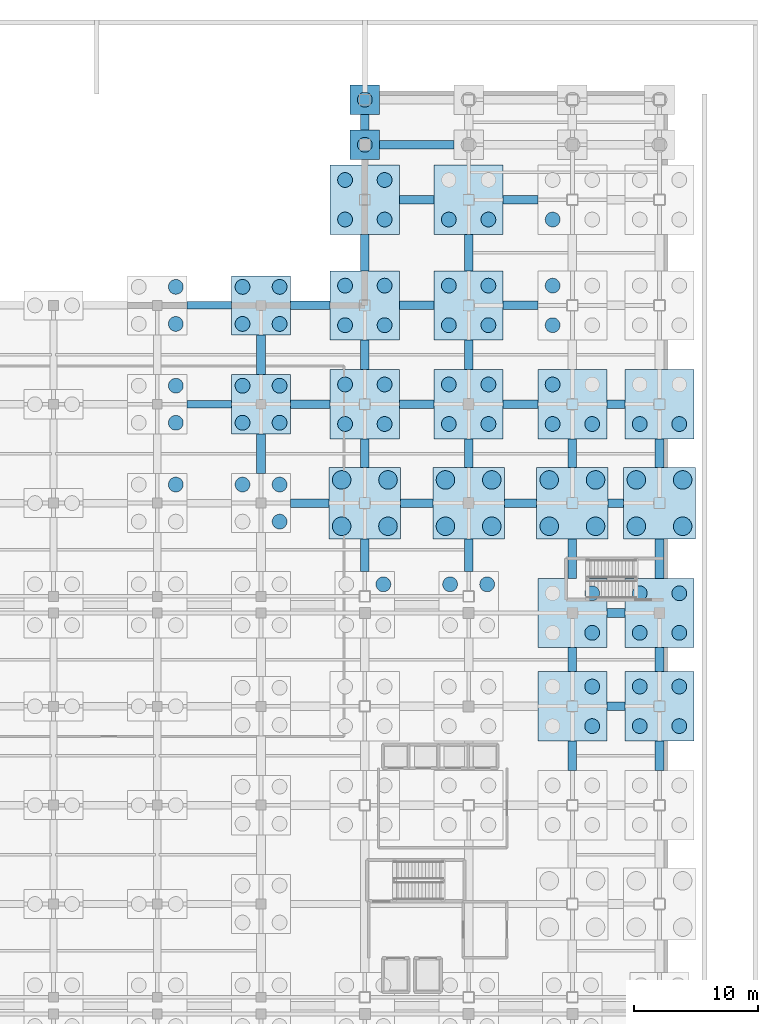
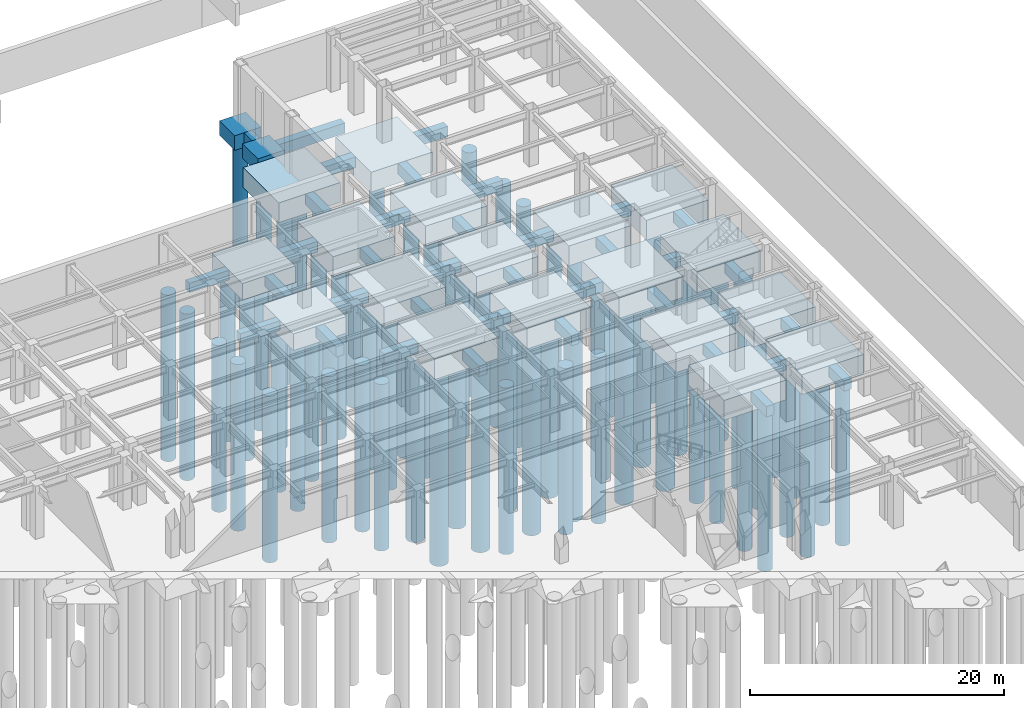
# One storey, part 13 of 55: 79 piles, 57 footings.
"""IFC4 building model written with IfcOpenShell, lengths in metres."""

from ifc_helpers import new_model, si_unit, direction, frame, origin, origin_2d, place, context, subcontext, project, spatial, rectangle, circle, extrude, material, layer, layer_set, material_profile, profile_set, type_object, element, save


model = new_model("IFC4")

# Units and contexts
model_context = context("Model", 3, precision=1e-05, world=origin(), true_north=direction((0.0, 1.0)))
body_context = subcontext(model_context, "Body", "Model", "MODEL_VIEW")
ifc_project = project(units=[si_unit("LENGTHUNIT", "METRE"), si_unit("AREAUNIT", "SQUARE_METRE"), si_unit("VOLUMEUNIT", "CUBIC_METRE"), si_unit("PLANEANGLEUNIT", "RADIAN"), si_unit("MASSUNIT", "GRAM", prefix="KILO")], contexts=[model_context])

# Site, building, storey
site_placement = place(None, origin())
site = spatial("IfcSite", under=ifc_project, at=site_placement, CompositionType="ELEMENT")
building_placement = place(site_placement, origin())
building = spatial("IfcBuilding", under=site, at=building_placement, Name="Kazehara Bluff Congress Hotel", CompositionType="ELEMENT")
storey_placement = place(building_placement, frame((0.0, 0.0, -5.39990234375)))
storey = spatial("IfcBuildingStorey", under=building, at=storey_placement, Name="B1", CompositionType="ELEMENT", Elevation=-5.39990234375)

# Footings
ifc_material_1 = material(Name="Concrete C36/45", Category="concrete")
ifc_material_profile_1 = material_profile(ifc_material_1, rectangle(XDim=0.60009765625, YDim=0.89990234375, at=origin_2d()))
ifc_profile_set_1 = profile_set([ifc_material_profile_1], Name="Concrete C36/45")
footing_type_1 = type_object("IfcFootingType", Name="TP-FB-01", PredefinedType="FOOTING_BEAM", material=ifc_profile_set_1)
for number, where, z_axis, x_axis, name in (
    (1, (129.300048828125, 88.89990234375, -0.9501953125), (1.0, 0.0, 0.0), (0.0, 1.0, 0.0), "Foundation tie beam FB-01 194"),
    (2, (129.300048828125, 96.89990234375, -0.9501953125), (1.0, 0.0, 0.0), (0.0, 1.0, 0.0), "Foundation tie beam FB-01 213"),
):
    element("IfcFooting", number, at=place(storey_placement, frame(where, z_axis=z_axis, x_axis=x_axis)), inside=storey, type_object=footing_type_1, Name=name, PredefinedType="FOOTING_BEAM", context=body_context, shape_type="SweptSolid", body=[
        extrude(rectangle(XDim=0.60009765625, YDim=0.89990234375, at=origin_2d()), origin(), (0.0, 0.0, 1.0), 3.599853515625),
    ])
ifc_material_2 = material(Name="Concrete C36/45", Category="concrete")
ifc_material_profile_2 = material_profile(ifc_material_2, rectangle(XDim=0.699951171875, YDim=1.0, at=origin_2d()))
ifc_profile_set_2 = profile_set([ifc_material_profile_2], Name="Concrete C36/45")
footing_type_2 = type_object("IfcFootingType", Name="TP-FB-02", PredefinedType="FOOTING_BEAM", material=ifc_profile_set_2)
for number, where, z_axis, x_axis, name in (
    (3, (163.300048828125, 64.449951171875, -1.0), (1.0, 0.0, 0.0), (0.0, 1.0, 0.0), "Foundation tie beam FB-02 149"),
    (4, (163.300048828125, 72.0, -1.0), (1.0, 0.0, 0.0), (0.0, 1.0, 0.0), "Foundation tie beam FB-02 150"),
):
    element("IfcFooting", number, at=place(storey_placement, frame(where, z_axis=z_axis, x_axis=x_axis)), inside=storey, type_object=footing_type_2, Name=name, PredefinedType="FOOTING_BEAM", context=body_context, shape_type="SweptSolid", body=[
        extrude(rectangle(XDim=0.699951171875, YDim=1.0, at=origin_2d()), origin(), (0.0, 0.0, 1.0), 1.449951171875),
    ])
footing_1_placement = place(storey_placement, frame((137.699951171875, 80.89990234375, -1.0), z_axis=(1.0, 0.0, 0.0), x_axis=(0.0, 1.0, 0.0)))
element("IfcFooting", 5, at=footing_1_placement, inside=storey, type_object=footing_type_2, Name="Foundation tie beam FB-02 176", PredefinedType="FOOTING_BEAM", context=body_context, shape_type="SweptSolid", body=[
    extrude(rectangle(XDim=0.699951171875, YDim=1.0, at=origin_2d()), origin(), (0.0, 0.0, 1.0), 3.10009765625),
])
footing_2_placement = place(storey_placement, frame((146.60009765625, 80.89990234375, -1.0), z_axis=(1.0, 0.0, 0.0), x_axis=(0.0, 1.0, 0.0)))
element("IfcFooting", 6, at=footing_2_placement, inside=storey, type_object=footing_type_2, Name="Foundation tie beam FB-02 177", PredefinedType="FOOTING_BEAM", context=body_context, shape_type="SweptSolid", body=[
    extrude(rectangle(XDim=0.699951171875, YDim=1.0, at=origin_2d()), origin(), (0.0, 0.0, 1.0), 2.599853515625),
])
footing_3_placement = place(storey_placement, frame((155.0, 80.89990234375, -1.0), z_axis=(1.0, 0.0, 0.0), x_axis=(0.0, 1.0, 0.0)))
element("IfcFooting", 7, at=footing_3_placement, inside=storey, type_object=footing_type_2, Name="Foundation tie beam FB-02 178", PredefinedType="FOOTING_BEAM", context=body_context, shape_type="SweptSolid", body=[
    extrude(rectangle(XDim=0.699951171875, YDim=1.0, at=origin_2d()), origin(), (0.0, 0.0, 1.0), 2.60009765625),
])
footing_4_placement = place(storey_placement, frame((163.39990234375, 80.89990234375, -1.0), z_axis=(1.0, 0.0, 0.0), x_axis=(0.0, 1.0, 0.0)))
element("IfcFooting", 8, at=footing_4_placement, inside=storey, type_object=footing_type_2, Name="Foundation tie beam FB-02 179", PredefinedType="FOOTING_BEAM", context=body_context, shape_type="SweptSolid", body=[
    extrude(rectangle(XDim=0.699951171875, YDim=1.0, at=origin_2d()), origin(), (0.0, 0.0, 1.0), 1.25),
])
footing_5_placement = place(storey_placement, frame((137.699951171875, 88.89990234375, -1.0), z_axis=(1.0, 0.0, 0.0), x_axis=(0.0, 1.0, 0.0)))
element("IfcFooting", 9, at=footing_5_placement, inside=storey, type_object=footing_type_2, Name="Foundation tie beam FB-02 195", PredefinedType="FOOTING_BEAM", context=body_context, shape_type="SweptSolid", body=[
    extrude(rectangle(XDim=0.699951171875, YDim=1.0, at=origin_2d()), origin(), (0.0, 0.0, 1.0), 3.199951171875),
])
for number, where, z_axis, x_axis, name in (
    (10, (146.5, 88.89990234375, -1.0), (1.0, 0.0, 0.0), (0.0, 1.0, 0.0), "Foundation tie beam FB-02 196"),
    (11, (154.89990234375, 88.89990234375, -1.0), (1.0, 0.0, 0.0), (0.0, 1.0, 0.0), "Foundation tie beam FB-02 197"),
):
    element("IfcFooting", number, at=place(storey_placement, frame(where, z_axis=z_axis, x_axis=x_axis)), inside=storey, type_object=footing_type_2, Name=name, PredefinedType="FOOTING_BEAM", context=body_context, shape_type="SweptSolid", body=[
        extrude(rectangle(XDim=0.699951171875, YDim=1.0, at=origin_2d()), origin(), (0.0, 0.0, 1.0), 2.800048828125),
    ])
footing_6_placement = place(storey_placement, frame((163.300048828125, 88.89990234375, -1.0), z_axis=(1.0, 0.0, 0.0), x_axis=(0.0, 1.0, 0.0)))
element("IfcFooting", 12, at=footing_6_placement, inside=storey, type_object=footing_type_2, Name="Foundation tie beam FB-02 198", PredefinedType="FOOTING_BEAM", context=body_context, shape_type="SweptSolid", body=[
    extrude(rectangle(XDim=0.699951171875, YDim=1.0, at=origin_2d()), origin(), (0.0, 0.0, 1.0), 1.449951171875),
])
footing_7_placement = place(storey_placement, frame((137.699951171875, 96.89990234375, -1.0), z_axis=(1.0, 0.0, 0.0), x_axis=(0.0, 1.0, 0.0)))
element("IfcFooting", 13, at=footing_7_placement, inside=storey, type_object=footing_type_2, Name="Foundation tie beam FB-02 214", PredefinedType="FOOTING_BEAM", context=body_context, shape_type="SweptSolid", body=[
    extrude(rectangle(XDim=0.699951171875, YDim=1.0, at=origin_2d()), origin(), (0.0, 0.0, 1.0), 3.199951171875),
])
for number, where, z_axis, x_axis, name in (
    (14, (146.5, 96.89990234375, -1.0), (1.0, 0.0, 0.0), (0.0, 1.0, 0.0), "Foundation tie beam FB-02 215"),
    (15, (154.89990234375, 96.89990234375, -1.0), (1.0, 0.0, 0.0), (0.0, 1.0, 0.0), "Foundation tie beam FB-02 216"),
    (16, (146.5, 105.449951171875, -1.0), (1.0, 0.0, 0.0), (0.0, 1.0, 0.0), "Foundation tie beam FB-02 229"),
    (17, (154.89990234375, 105.449951171875, -1.0), (1.0, 0.0, 0.0), (0.0, 1.0, 0.0), "Foundation tie beam FB-02 230"),
):
    element("IfcFooting", number, at=place(storey_placement, frame(where, z_axis=z_axis, x_axis=x_axis)), inside=storey, type_object=footing_type_2, Name=name, PredefinedType="FOOTING_BEAM", context=body_context, shape_type="SweptSolid", body=[
        extrude(rectangle(XDim=0.699951171875, YDim=1.0, at=origin_2d()), origin(), (0.0, 0.0, 1.0), 2.800048828125),
    ])
footing_8_placement = place(storey_placement, frame((144.89990234375, 109.89990234375, -1.0), z_axis=(1.0, 0.0, 0.0), x_axis=(0.0, 1.0, 0.0)))
element("IfcFooting", 18, at=footing_8_placement, inside=storey, type_object=footing_type_2, Name="Foundation tie beam FB-02 240", PredefinedType="FOOTING_BEAM", context=body_context, shape_type="SweptSolid", body=[
    extrude(rectangle(XDim=0.699951171875, YDim=1.0, at=origin_2d()), origin(), (0.0, 0.0, 1.0), 6.0),
])
for number, where, z_axis, x_axis, name in (
    (19, (135.300048828125, 83.300048828125, -1.0), (0.0, 1.0, 0.0), (-1.0, 0.0, 0.0), "Foundation tie beam FB-02 445"),
    (20, (135.300048828125, 91.300048828125, -1.0), (0.0, 1.0, 0.0), (-1.0, 0.0, 0.0), "Foundation tie beam FB-02 446"),
):
    element("IfcFooting", number, at=place(storey_placement, frame(where, z_axis=z_axis, x_axis=x_axis)), inside=storey, type_object=footing_type_2, Name=name, PredefinedType="FOOTING_BEAM", context=body_context, shape_type="SweptSolid", body=[
        extrude(rectangle(XDim=0.699951171875, YDim=1.0, at=origin_2d()), origin(), (0.0, 0.0, 1.0), 3.199951171875),
    ])
footing_9_placement = place(storey_placement, frame((143.699951171875, 75.375, -1.0), z_axis=(0.0, 1.0, 0.0), x_axis=(-1.0, 0.0, 0.0)))
element("IfcFooting", 21, at=footing_9_placement, inside=storey, type_object=footing_type_2, Name="Foundation tie beam FB-02 455", PredefinedType="FOOTING_BEAM", context=body_context, shape_type="SweptSolid", body=[
    extrude(rectangle(XDim=0.699951171875, YDim=1.0, at=origin_2d()), origin(), (0.0, 0.0, 1.0), 2.625),
])
footing_10_placement = place(storey_placement, frame((143.699951171875, 83.800048828125, -1.0), z_axis=(0.0, 1.0, 0.0), x_axis=(-1.0, 0.0, 0.0)))
element("IfcFooting", 22, at=footing_10_placement, inside=storey, type_object=footing_type_2, Name="Foundation tie beam FB-02 456", PredefinedType="FOOTING_BEAM", context=body_context, shape_type="SweptSolid", body=[
    extrude(rectangle(XDim=0.699951171875, YDim=1.0, at=origin_2d()), origin(), (0.0, 0.0, 1.0), 2.300048828125),
])
footing_11_placement = place(storey_placement, frame((143.699951171875, 91.699951171875, -1.0), z_axis=(0.0, 1.0, 0.0), x_axis=(-1.0, 0.0, 0.0)))
element("IfcFooting", 23, at=footing_11_placement, inside=storey, type_object=footing_type_2, Name="Foundation tie beam FB-02 457", PredefinedType="FOOTING_BEAM", context=body_context, shape_type="SweptSolid", body=[
    extrude(rectangle(XDim=0.699951171875, YDim=1.0, at=origin_2d()), origin(), (0.0, 0.0, 1.0), 2.400146484375),
])
footing_12_placement = place(storey_placement, frame((143.699951171875, 99.699951171875, -1.0), z_axis=(0.0, 1.0, 0.0), x_axis=(-1.0, 0.0, 0.0)))
element("IfcFooting", 24, at=footing_12_placement, inside=storey, type_object=footing_type_2, Name="Foundation tie beam FB-02 458", PredefinedType="FOOTING_BEAM", context=body_context, shape_type="SweptSolid", body=[
    extrude(rectangle(XDim=0.699951171875, YDim=1.0, at=origin_2d()), origin(), (0.0, 0.0, 1.0), 2.949951171875),
])
footing_13_placement = place(storey_placement, frame((143.699951171875, 111.10009765625, -1.0), z_axis=(0.0, 1.0, 0.0), x_axis=(-1.0, 0.0, 0.0)))
element("IfcFooting", 25, at=footing_13_placement, inside=storey, type_object=footing_type_2, Name="Foundation tie beam FB-02 459", PredefinedType="FOOTING_BEAM", context=body_context, shape_type="SweptSolid", body=[
    extrude(rectangle(XDim=0.699951171875, YDim=1.0, at=origin_2d()), origin(), (0.0, 0.0, 1.0), 1.25),
])
footing_14_placement = place(storey_placement, frame((152.10009765625, 75.375, -1.0), z_axis=(0.0, 1.0, 0.0), x_axis=(-1.0, 0.0, 0.0)))
element("IfcFooting", 26, at=footing_14_placement, inside=storey, type_object=footing_type_2, Name="Foundation tie beam FB-02 468", PredefinedType="FOOTING_BEAM", context=body_context, shape_type="SweptSolid", body=[
    extrude(rectangle(XDim=0.699951171875, YDim=1.0, at=origin_2d()), origin(), (0.0, 0.0, 1.0), 2.625),
])
footing_15_placement = place(storey_placement, frame((152.10009765625, 83.800048828125, -1.0), z_axis=(0.0, 1.0, 0.0), x_axis=(-1.0, 0.0, 0.0)))
element("IfcFooting", 27, at=footing_15_placement, inside=storey, type_object=footing_type_2, Name="Foundation tie beam FB-02 469", PredefinedType="FOOTING_BEAM", context=body_context, shape_type="SweptSolid", body=[
    extrude(rectangle(XDim=0.699951171875, YDim=1.0, at=origin_2d()), origin(), (0.0, 0.0, 1.0), 2.300048828125),
])
footing_16_placement = place(storey_placement, frame((152.10009765625, 91.699951171875, -1.0), z_axis=(0.0, 1.0, 0.0), x_axis=(-1.0, 0.0, 0.0)))
element("IfcFooting", 28, at=footing_16_placement, inside=storey, type_object=footing_type_2, Name="Foundation tie beam FB-02 470", PredefinedType="FOOTING_BEAM", context=body_context, shape_type="SweptSolid", body=[
    extrude(rectangle(XDim=0.699951171875, YDim=1.0, at=origin_2d()), origin(), (0.0, 0.0, 1.0), 2.400146484375),
])
footing_17_placement = place(storey_placement, frame((152.10009765625, 99.699951171875, -1.0), z_axis=(0.0, 1.0, 0.0), x_axis=(-1.0, 0.0, 0.0)))
element("IfcFooting", 29, at=footing_17_placement, inside=storey, type_object=footing_type_2, Name="Foundation tie beam FB-02 471", PredefinedType="FOOTING_BEAM", context=body_context, shape_type="SweptSolid", body=[
    extrude(rectangle(XDim=0.699951171875, YDim=1.0, at=origin_2d()), origin(), (0.0, 0.0, 1.0), 2.949951171875),
])
footing_18_placement = place(storey_placement, frame((160.5, 59.25, -1.0), z_axis=(0.0, 1.0, 0.0), x_axis=(-1.0, 0.0, 0.0)))
element("IfcFooting", 30, at=footing_18_placement, inside=storey, type_object=footing_type_2, Name="Foundation tie beam FB-02 480", PredefinedType="FOOTING_BEAM", context=body_context, shape_type="SweptSolid", body=[
    extrude(rectangle(XDim=0.699951171875, YDim=1.0, at=origin_2d()), origin(), (0.0, 0.0, 1.0), 2.39990234375),
])
footing_19_placement = place(storey_placement, frame((160.5, 67.25, -1.0), z_axis=(0.0, 1.0, 0.0), x_axis=(-1.0, 0.0, 0.0)))
element("IfcFooting", 31, at=footing_19_placement, inside=storey, type_object=footing_type_2, Name="Foundation tie beam FB-02 481", PredefinedType="FOOTING_BEAM", context=body_context, shape_type="SweptSolid", body=[
    extrude(rectangle(XDim=0.699951171875, YDim=1.0, at=origin_2d()), origin(), (0.0, 0.0, 1.0), 1.949951171875),
])
footing_20_placement = place(storey_placement, frame((160.5, 74.800048828125, -1.0), z_axis=(0.0, 1.0, 0.0), x_axis=(-1.0, 0.0, 0.0)))
element("IfcFooting", 32, at=footing_20_placement, inside=storey, type_object=footing_type_2, Name="Foundation tie beam FB-02 482", PredefinedType="FOOTING_BEAM", context=body_context, shape_type="SweptSolid", body=[
    extrude(rectangle(XDim=0.699951171875, YDim=1.0, at=origin_2d()), origin(), (0.0, 0.0, 1.0), 3.199951171875),
])
footing_21_placement = place(storey_placement, frame((160.5, 83.800048828125, -1.0), z_axis=(0.0, 1.0, 0.0), x_axis=(-1.0, 0.0, 0.0)))
element("IfcFooting", 33, at=footing_21_placement, inside=storey, type_object=footing_type_2, Name="Foundation tie beam FB-02 483", PredefinedType="FOOTING_BEAM", context=body_context, shape_type="SweptSolid", body=[
    extrude(rectangle(XDim=0.699951171875, YDim=1.0, at=origin_2d()), origin(), (0.0, 0.0, 1.0), 2.300048828125),
])
footing_22_placement = place(storey_placement, frame((167.550048828125, 59.25, -1.0), z_axis=(0.0, 1.0, 0.0), x_axis=(-1.0, 0.0, 0.0)))
element("IfcFooting", 34, at=footing_22_placement, inside=storey, type_object=footing_type_2, Name="Foundation tie beam FB-02 494", PredefinedType="FOOTING_BEAM", context=body_context, shape_type="SweptSolid", body=[
    extrude(rectangle(XDim=0.699951171875, YDim=1.0, at=origin_2d()), origin(), (0.0, 0.0, 1.0), 2.39990234375),
])
footing_23_placement = place(storey_placement, frame((167.550048828125, 67.25, -1.0), z_axis=(0.0, 1.0, 0.0), x_axis=(-1.0, 0.0, 0.0)))
element("IfcFooting", 35, at=footing_23_placement, inside=storey, type_object=footing_type_2, Name="Foundation tie beam FB-02 495", PredefinedType="FOOTING_BEAM", context=body_context, shape_type="SweptSolid", body=[
    extrude(rectangle(XDim=0.699951171875, YDim=1.0, at=origin_2d()), origin(), (0.0, 0.0, 1.0), 1.949951171875),
])
footing_24_placement = place(storey_placement, frame((167.550048828125, 74.800048828125, -1.0), z_axis=(0.0, 1.0, 0.0), x_axis=(-1.0, 0.0, 0.0)))
element("IfcFooting", 36, at=footing_24_placement, inside=storey, type_object=footing_type_2, Name="Foundation tie beam FB-02 496", PredefinedType="FOOTING_BEAM", context=body_context, shape_type="SweptSolid", body=[
    extrude(rectangle(XDim=0.699951171875, YDim=1.0, at=origin_2d()), origin(), (0.0, 0.0, 1.0), 3.199951171875),
])
footing_25_placement = place(storey_placement, frame((167.550048828125, 83.800048828125, -1.0), z_axis=(0.0, 1.0, 0.0), x_axis=(-1.0, 0.0, 0.0)))
element("IfcFooting", 37, at=footing_25_placement, inside=storey, type_object=footing_type_2, Name="Foundation tie beam FB-02 497", PredefinedType="FOOTING_BEAM", context=body_context, shape_type="SweptSolid", body=[
    extrude(rectangle(XDim=0.699951171875, YDim=1.0, at=origin_2d()), origin(), (0.0, 0.0, 1.0), 2.300048828125),
])
ifc_material_3 = material(Name="Concrete C36/45", Category="concrete")
ifc_layer_1 = layer(ifc_material_3, 1.39990234375)
ifc_layer_set_1 = layer_set([ifc_layer_1], Name="Concrete C36/45")
footing_type_3 = type_object("IfcFootingType", Name="TP-PC-01", PredefinedType="PILE_CAP", material=ifc_layer_set_1)
for number, where, z_axis, x_axis, name in (
    (38, (143.699951171875, 109.89990234375, -1.900146484375), (0.0, 0.0, 1.0), (1.0, 0.0, 0.0), "Pile cap PC-01 247"),
    (39, (143.699951171875, 113.550048828125, -1.900146484375), (0.0, 0.0, 1.0), (1.0, 0.0, 0.0), "Pile cap PC-01 248"),
):
    element("IfcFooting", number, at=place(storey_placement, frame(where, z_axis=z_axis, x_axis=x_axis)), inside=storey, type_object=footing_type_3, Name=name, PredefinedType="PILE_CAP", context=body_context, shape_type="SweptSolid", body=[
        extrude(rectangle(XDim=2.39990234375, YDim=2.39990234375, at=origin_2d()), origin(), (0.0, 0.0, 1.0), 1.39990234375),
    ])
ifc_material_4 = material(Name="Concrete C36/45", Category="concrete")
ifc_layer_2 = layer(ifc_material_4, 1.60009765625)
ifc_layer_set_2 = layer_set([ifc_layer_2], Name="Concrete C36/45")
footing_type_4 = type_object("IfcFootingType", Name="TP-PC-04", PredefinedType="PILE_CAP", material=ifc_layer_set_2)
for number, where, z_axis, x_axis, name in (
    (40, (135.300048828125, 88.89990234375, -2.10009765625), (0.0, 0.0, 1.0), (1.0, 0.0, 0.0), "Pile cap PC-04 232"),
    (41, (135.300048828125, 96.89990234375, -2.10009765625), (0.0, 0.0, 1.0), (1.0, 0.0, 0.0), "Pile cap PC-04 233"),
):
    element("IfcFooting", number, at=place(storey_placement, frame(where, z_axis=z_axis, x_axis=x_axis)), inside=storey, type_object=footing_type_4, Name=name, PredefinedType="PILE_CAP", context=body_context, shape_type="SweptSolid", body=[
        extrude(rectangle(XDim=4.800048828125, YDim=4.800048828125, at=origin_2d()), origin(), (0.0, 0.0, 1.0), 1.60009765625),
    ])
ifc_material_5 = material(Name="Concrete C36/45", Category="concrete")
ifc_layer_3 = layer(ifc_material_5, 1.89990234375)
ifc_layer_set_3 = layer_set([ifc_layer_3], Name="Concrete C36/45")
footing_type_5 = type_object("IfcFootingType", Name="TP-PC-09", PredefinedType="PILE_CAP", material=ifc_layer_set_3)
for number, where, z_axis, x_axis, name in (
    (42, (143.699951171875, 88.89990234375, -2.400146484375), (0.0, 0.0, 1.0), (1.0, 0.0, 0.0), "Pile cap PC-09 244"),
    (43, (143.699951171875, 96.89990234375, -2.400146484375), (0.0, 0.0, 1.0), (1.0, 0.0, 0.0), "Pile cap PC-09 245"),
    (44, (143.699951171875, 105.449951171875, -2.400146484375), (0.0, 0.0, 1.0), (1.0, 0.0, 0.0), "Pile cap PC-09 246"),
    (45, (152.10009765625, 88.89990234375, -2.400146484375), (0.0, 0.0, 1.0), (1.0, 0.0, 0.0), "Pile cap PC-09 259"),
    (46, (152.10009765625, 96.89990234375, -2.400146484375), (0.0, 0.0, 1.0), (1.0, 0.0, 0.0), "Pile cap PC-09 260"),
    (47, (152.10009765625, 105.449951171875, -2.400146484375), (0.0, 0.0, 1.0), (1.0, 0.0, 0.0), "Pile cap PC-09 261"),
    (48, (160.5, 64.449951171875, -2.400146484375), (0.0, 0.0, 1.0), (1.0, 0.0, 0.0), "Pile cap PC-09 272"),
    (49, (160.5, 72.0, -2.400146484375), (0.0, 0.0, 1.0), (1.0, 0.0, 0.0), "Pile cap PC-09 273"),
    (50, (160.5, 88.89990234375, -2.400146484375), (0.0, 0.0, 1.0), (1.0, 0.0, 0.0), "Pile cap PC-09 275"),
    (51, (167.550048828125, 64.449951171875, -2.400146484375), (0.0, 0.0, 1.0), (1.0, 0.0, 0.0), "Pile cap PC-09 288"),
    (52, (167.550048828125, 72.0, -2.400146484375), (0.0, 0.0, 1.0), (1.0, 0.0, 0.0), "Pile cap PC-09 289"),
    (53, (167.550048828125, 88.89990234375, -2.400146484375), (0.0, 0.0, 1.0), (1.0, 0.0, 0.0), "Pile cap PC-09 291"),
):
    element("IfcFooting", number, at=place(storey_placement, frame(where, z_axis=z_axis, x_axis=x_axis)), inside=storey, type_object=footing_type_5, Name=name, PredefinedType="PILE_CAP", context=body_context, shape_type="SweptSolid", body=[
        extrude(rectangle(XDim=5.60009765625, YDim=5.60009765625, at=origin_2d()), origin(), (0.0, 0.0, 1.0), 1.89990234375),
    ])
ifc_material_6 = material(Name="Concrete C36/45", Category="concrete")
ifc_layer_4 = layer(ifc_material_6, 2.0)
ifc_layer_set_4 = layer_set([ifc_layer_4], Name="Concrete C36/45")
footing_type_6 = type_object("IfcFootingType", Name="TP-PC-10", PredefinedType="PILE_CAP", material=ifc_layer_set_4)
for number, where, z_axis, x_axis, name in (
    (54, (143.699951171875, 80.89990234375, -2.5), (0.0, 0.0, 1.0), (1.0, 0.0, 0.0), "Pile cap PC-10 243"),
    (55, (152.10009765625, 80.89990234375, -2.5), (0.0, 0.0, 1.0), (1.0, 0.0, 0.0), "Pile cap PC-10 258"),
    (56, (160.5, 80.89990234375, -2.5), (0.0, 0.0, 1.0), (1.0, 0.0, 0.0), "Pile cap PC-10 274"),
    (57, (167.550048828125, 80.89990234375, -2.5), (0.0, 0.0, 1.0), (1.0, 0.0, 0.0), "Pile cap PC-10 290"),
):
    element("IfcFooting", number, at=place(storey_placement, frame(where, z_axis=z_axis, x_axis=x_axis)), inside=storey, type_object=footing_type_6, Name=name, PredefinedType="PILE_CAP", context=body_context, shape_type="SweptSolid", body=[
        extrude(rectangle(XDim=5.800048828125, YDim=5.800048828125, at=origin_2d()), origin(), (0.0, 0.0, 1.0), 2.0),
    ])

# Piles
ifc_material_7 = material(Name="Concrete C36/45", Category="concrete")
ifc_material_profile_3 = material_profile(ifc_material_7, circle(Radius=0.60009765625, at=origin_2d()))
ifc_profile_set_3 = profile_set([ifc_material_profile_3], Name="Concrete C36/45")
pile_type_1 = type_object("IfcPileType", Name="TP-PILE-1200", PredefinedType="BORED", material=ifc_profile_set_3)
for number, where, z_axis, x_axis, name in (
    (58, (128.39990234375, 82.39990234375, -2.0), (0.0, 0.0, -1.0), (1.0, 0.0, 0.0), "Bored pile FND-PC-219-P4"),
    (59, (128.39990234375, 87.39990234375, -2.0), (0.0, 0.0, -1.0), (1.0, 0.0, 0.0), "Bored pile FND-PC-220-P2"),
    (60, (128.39990234375, 90.39990234375, -2.0), (0.0, 0.0, -1.0), (1.0, 0.0, 0.0), "Bored pile FND-PC-220-P4"),
    (61, (128.39990234375, 95.39990234375, -2.0), (0.0, 0.0, -1.0), (1.0, 0.0, 0.0), "Bored pile FND-PC-221-P2"),
    (62, (128.39990234375, 98.39990234375, -2.0), (0.0, 0.0, -1.0), (1.0, 0.0, 0.0), "Bored pile FND-PC-221-P4"),
    (63, (136.800048828125, 79.39990234375, -2.0), (0.0, 0.0, -1.0), (1.0, 0.0, 0.0), "Bored pile FND-PC-231-P2"),
    (64, (133.800048828125, 82.39990234375, -2.0), (0.0, 0.0, -1.0), (1.0, 0.0, 0.0), "Bored pile FND-PC-231-P3"),
    (65, (136.800048828125, 82.39990234375, -2.0), (0.0, 0.0, -1.0), (1.0, 0.0, 0.0), "Bored pile FND-PC-231-P4"),
    (66, (133.800048828125, 87.39990234375, -2.0), (0.0, 0.0, -1.0), (1.0, 0.0, 0.0), "Bored pile FND-PC-232-P1"),
    (67, (136.800048828125, 87.39990234375, -2.0), (0.0, 0.0, -1.0), (1.0, 0.0, 0.0), "Bored pile FND-PC-232-P2"),
    (68, (133.800048828125, 90.39990234375, -2.0), (0.0, 0.0, -1.0), (1.0, 0.0, 0.0), "Bored pile FND-PC-232-P3"),
    (69, (136.800048828125, 90.39990234375, -2.0), (0.0, 0.0, -1.0), (1.0, 0.0, 0.0), "Bored pile FND-PC-232-P4"),
    (70, (133.800048828125, 95.39990234375, -2.0), (0.0, 0.0, -1.0), (1.0, 0.0, 0.0), "Bored pile FND-PC-233-P1"),
    (71, (136.800048828125, 95.39990234375, -2.0), (0.0, 0.0, -1.0), (1.0, 0.0, 0.0), "Bored pile FND-PC-233-P2"),
    (72, (133.800048828125, 98.39990234375, -2.0), (0.0, 0.0, -1.0), (1.0, 0.0, 0.0), "Bored pile FND-PC-233-P3"),
    (73, (136.800048828125, 98.39990234375, -2.0), (0.0, 0.0, -1.0), (1.0, 0.0, 0.0), "Bored pile FND-PC-233-P4"),
    (74, (145.199951171875, 74.324951171875, -2.2001953125), (0.0, 0.0, -1.0), (1.0, 0.0, 0.0), "Bored pile FND-PC-242-P4"),
):
    element("IfcPile", number, at=place(storey_placement, frame(where, z_axis=z_axis, x_axis=x_axis)), inside=storey, type_object=pile_type_1, Name=name, PredefinedType="BORED", context=body_context, shape_type="SweptSolid", body=[
        extrude(circle(Radius=0.60009765625, at=origin_2d()), origin(), (0.0, 0.0, 1.0), 16.0),
    ])
for number, where, z_axis, x_axis, name in (
    (75, (142.10009765625, 87.300048828125, -2.300048828125), (0.0, 0.0, -1.0), (1.0, 0.0, 0.0), "Bored pile FND-PC-244-P1"),
    (76, (145.300048828125, 87.300048828125, -2.300048828125), (0.0, 0.0, -1.0), (1.0, 0.0, 0.0), "Bored pile FND-PC-244-P2"),
    (77, (142.10009765625, 90.5, -2.300048828125), (0.0, 0.0, -1.0), (1.0, 0.0, 0.0), "Bored pile FND-PC-244-P3"),
    (78, (145.300048828125, 90.5, -2.300048828125), (0.0, 0.0, -1.0), (1.0, 0.0, 0.0), "Bored pile FND-PC-244-P4"),
    (79, (142.10009765625, 95.300048828125, -2.300048828125), (0.0, 0.0, -1.0), (1.0, 0.0, 0.0), "Bored pile FND-PC-245-P1"),
    (80, (145.300048828125, 95.300048828125, -2.300048828125), (0.0, 0.0, -1.0), (1.0, 0.0, 0.0), "Bored pile FND-PC-245-P2"),
    (81, (142.10009765625, 98.5, -2.300048828125), (0.0, 0.0, -1.0), (1.0, 0.0, 0.0), "Bored pile FND-PC-245-P3"),
    (82, (145.300048828125, 98.5, -2.300048828125), (0.0, 0.0, -1.0), (1.0, 0.0, 0.0), "Bored pile FND-PC-245-P4"),
    (83, (142.10009765625, 103.85009765625, -2.300048828125), (0.0, 0.0, -1.0), (1.0, 0.0, 0.0), "Bored pile FND-PC-246-P1"),
    (84, (145.300048828125, 103.85009765625, -2.300048828125), (0.0, 0.0, -1.0), (1.0, 0.0, 0.0), "Bored pile FND-PC-246-P2"),
    (85, (142.10009765625, 107.050048828125, -2.300048828125), (0.0, 0.0, -1.0), (1.0, 0.0, 0.0), "Bored pile FND-PC-246-P3"),
    (86, (145.300048828125, 107.050048828125, -2.300048828125), (0.0, 0.0, -1.0), (1.0, 0.0, 0.0), "Bored pile FND-PC-246-P4"),
):
    element("IfcPile", number, at=place(storey_placement, frame(where, z_axis=z_axis, x_axis=x_axis)), inside=storey, type_object=pile_type_1, Name=name, PredefinedType="BORED", context=body_context, shape_type="SweptSolid", body=[
        extrude(circle(Radius=0.60009765625, at=origin_2d()), origin(), (0.0, 0.0, 1.0), 16.5),
    ])
for number, where, z_axis, x_axis, name in (
    (87, (143.699951171875, 109.89990234375, -1.800048828125), (0.0, 0.0, -1.0), (1.0, 0.0, 0.0), "Bored pile FND-PC-247-P1"),
    (88, (143.699951171875, 113.550048828125, -1.800048828125), (0.0, 0.0, -1.0), (1.0, 0.0, 0.0), "Bored pile FND-PC-248-P1"),
    (89, (150.60009765625, 74.324951171875, -2.2001953125), (0.0, 0.0, -1.0), (1.0, 0.0, 0.0), "Bored pile FND-PC-257-P3"),
    (90, (153.60009765625, 74.324951171875, -2.2001953125), (0.0, 0.0, -1.0), (1.0, 0.0, 0.0), "Bored pile FND-PC-257-P4"),
):
    element("IfcPile", number, at=place(storey_placement, frame(where, z_axis=z_axis, x_axis=x_axis)), inside=storey, type_object=pile_type_1, Name=name, PredefinedType="BORED", context=body_context, shape_type="SweptSolid", body=[
        extrude(circle(Radius=0.60009765625, at=origin_2d()), origin(), (0.0, 0.0, 1.0), 16.0),
    ])
for number, where, z_axis, x_axis, name in (
    (91, (150.5, 87.300048828125, -2.300048828125), (0.0, 0.0, -1.0), (1.0, 0.0, 0.0), "Bored pile FND-PC-259-P1"),
    (92, (153.699951171875, 87.300048828125, -2.300048828125), (0.0, 0.0, -1.0), (1.0, 0.0, 0.0), "Bored pile FND-PC-259-P2"),
    (93, (150.5, 90.5, -2.300048828125), (0.0, 0.0, -1.0), (1.0, 0.0, 0.0), "Bored pile FND-PC-259-P3"),
    (94, (153.699951171875, 90.5, -2.300048828125), (0.0, 0.0, -1.0), (1.0, 0.0, 0.0), "Bored pile FND-PC-259-P4"),
    (95, (150.5, 95.300048828125, -2.300048828125), (0.0, 0.0, -1.0), (1.0, 0.0, 0.0), "Bored pile FND-PC-260-P1"),
    (96, (153.699951171875, 95.300048828125, -2.300048828125), (0.0, 0.0, -1.0), (1.0, 0.0, 0.0), "Bored pile FND-PC-260-P2"),
    (97, (150.5, 98.5, -2.300048828125), (0.0, 0.0, -1.0), (1.0, 0.0, 0.0), "Bored pile FND-PC-260-P3"),
    (98, (153.699951171875, 98.5, -2.300048828125), (0.0, 0.0, -1.0), (1.0, 0.0, 0.0), "Bored pile FND-PC-260-P4"),
    (99, (150.5, 103.85009765625, -2.300048828125), (0.0, 0.0, -1.0), (1.0, 0.0, 0.0), "Bored pile FND-PC-261-P1"),
    (100, (153.699951171875, 103.85009765625, -2.300048828125), (0.0, 0.0, -1.0), (1.0, 0.0, 0.0), "Bored pile FND-PC-261-P2"),
    (101, (162.10009765625, 62.85009765625, -2.300048828125), (0.0, 0.0, -1.0), (1.0, 0.0, 0.0), "Bored pile FND-PC-272-P2"),
    (102, (162.10009765625, 66.050048828125, -2.300048828125), (0.0, 0.0, -1.0), (1.0, 0.0, 0.0), "Bored pile FND-PC-272-P4"),
    (103, (162.10009765625, 70.39990234375, -2.300048828125), (0.0, 0.0, -1.0), (1.0, 0.0, 0.0), "Bored pile FND-PC-273-P2"),
    (104, (162.10009765625, 73.60009765625, -2.300048828125), (0.0, 0.0, -1.0), (1.0, 0.0, 0.0), "Bored pile FND-PC-273-P4"),
    (105, (158.89990234375, 87.300048828125, -2.300048828125), (0.0, 0.0, -1.0), (1.0, 0.0, 0.0), "Bored pile FND-PC-275-P1"),
    (106, (162.10009765625, 87.300048828125, -2.300048828125), (0.0, 0.0, -1.0), (1.0, 0.0, 0.0), "Bored pile FND-PC-275-P2"),
    (107, (158.89990234375, 90.5, -2.300048828125), (0.0, 0.0, -1.0), (1.0, 0.0, 0.0), "Bored pile FND-PC-275-P3"),
    (108, (158.89990234375, 95.300048828125, -2.300048828125), (0.0, 0.0, -1.0), (1.0, 0.0, 0.0), "Bored pile FND-PC-276-P1"),
    (109, (158.89990234375, 98.5, -2.300048828125), (0.0, 0.0, -1.0), (1.0, 0.0, 0.0), "Bored pile FND-PC-276-P3"),
    (110, (158.89990234375, 103.85009765625, -2.300048828125), (0.0, 0.0, -1.0), (1.0, 0.0, 0.0), "Bored pile FND-PC-277-P1"),
    (111, (165.949951171875, 62.85009765625, -2.300048828125), (0.0, 0.0, -1.0), (1.0, 0.0, 0.0), "Bored pile FND-PC-288-P1"),
    (112, (169.14990234375, 62.85009765625, -2.300048828125), (0.0, 0.0, -1.0), (1.0, 0.0, 0.0), "Bored pile FND-PC-288-P2"),
    (113, (165.949951171875, 66.050048828125, -2.300048828125), (0.0, 0.0, -1.0), (1.0, 0.0, 0.0), "Bored pile FND-PC-288-P3"),
    (114, (169.14990234375, 66.050048828125, -2.300048828125), (0.0, 0.0, -1.0), (1.0, 0.0, 0.0), "Bored pile FND-PC-288-P4"),
    (115, (165.949951171875, 70.39990234375, -2.300048828125), (0.0, 0.0, -1.0), (1.0, 0.0, 0.0), "Bored pile FND-PC-289-P1"),
    (116, (169.14990234375, 70.39990234375, -2.300048828125), (0.0, 0.0, -1.0), (1.0, 0.0, 0.0), "Bored pile FND-PC-289-P2"),
    (117, (165.949951171875, 73.60009765625, -2.300048828125), (0.0, 0.0, -1.0), (1.0, 0.0, 0.0), "Bored pile FND-PC-289-P3"),
    (118, (169.14990234375, 73.60009765625, -2.300048828125), (0.0, 0.0, -1.0), (1.0, 0.0, 0.0), "Bored pile FND-PC-289-P4"),
    (119, (165.949951171875, 87.300048828125, -2.300048828125), (0.0, 0.0, -1.0), (1.0, 0.0, 0.0), "Bored pile FND-PC-291-P1"),
    (120, (169.14990234375, 87.300048828125, -2.300048828125), (0.0, 0.0, -1.0), (1.0, 0.0, 0.0), "Bored pile FND-PC-291-P2"),
):
    element("IfcPile", number, at=place(storey_placement, frame(where, z_axis=z_axis, x_axis=x_axis)), inside=storey, type_object=pile_type_1, Name=name, PredefinedType="BORED", context=body_context, shape_type="SweptSolid", body=[
        extrude(circle(Radius=0.60009765625, at=origin_2d()), origin(), (0.0, 0.0, 1.0), 16.5),
    ])
ifc_material_8 = material(Name="Concrete C36/45", Category="concrete")
ifc_material_profile_4 = material_profile(ifc_material_8, circle(Radius=0.75, at=origin_2d()))
ifc_profile_set_4 = profile_set([ifc_material_profile_4], Name="Concrete C36/45")
pile_type_2 = type_object("IfcPileType", Name="TP-PILE-1500", PredefinedType="BORED", material=ifc_profile_set_4)
for number, where, z_axis, x_axis, name in (
    (121, (141.824951171875, 79.02490234375, -2.400146484375), (0.0, 0.0, -1.0), (1.0, 0.0, 0.0), "Bored pile FND-PC-243-P1"),
    (122, (145.574951171875, 79.02490234375, -2.400146484375), (0.0, 0.0, -1.0), (1.0, 0.0, 0.0), "Bored pile FND-PC-243-P2"),
    (123, (141.824951171875, 82.77490234375, -2.400146484375), (0.0, 0.0, -1.0), (1.0, 0.0, 0.0), "Bored pile FND-PC-243-P3"),
    (124, (145.574951171875, 82.77490234375, -2.400146484375), (0.0, 0.0, -1.0), (1.0, 0.0, 0.0), "Bored pile FND-PC-243-P4"),
    (125, (150.22509765625, 79.02490234375, -2.400146484375), (0.0, 0.0, -1.0), (1.0, 0.0, 0.0), "Bored pile FND-PC-258-P1"),
    (126, (153.97509765625, 79.02490234375, -2.400146484375), (0.0, 0.0, -1.0), (1.0, 0.0, 0.0), "Bored pile FND-PC-258-P2"),
    (127, (150.22509765625, 82.77490234375, -2.400146484375), (0.0, 0.0, -1.0), (1.0, 0.0, 0.0), "Bored pile FND-PC-258-P3"),
    (128, (153.97509765625, 82.77490234375, -2.400146484375), (0.0, 0.0, -1.0), (1.0, 0.0, 0.0), "Bored pile FND-PC-258-P4"),
    (129, (158.625, 79.02490234375, -2.400146484375), (0.0, 0.0, -1.0), (1.0, 0.0, 0.0), "Bored pile FND-PC-274-P1"),
    (130, (162.375, 79.02490234375, -2.400146484375), (0.0, 0.0, -1.0), (1.0, 0.0, 0.0), "Bored pile FND-PC-274-P2"),
    (131, (158.625, 82.77490234375, -2.400146484375), (0.0, 0.0, -1.0), (1.0, 0.0, 0.0), "Bored pile FND-PC-274-P3"),
    (132, (162.375, 82.77490234375, -2.400146484375), (0.0, 0.0, -1.0), (1.0, 0.0, 0.0), "Bored pile FND-PC-274-P4"),
    (133, (165.675048828125, 79.02490234375, -2.400146484375), (0.0, 0.0, -1.0), (1.0, 0.0, 0.0), "Bored pile FND-PC-290-P1"),
    (134, (169.425048828125, 79.02490234375, -2.400146484375), (0.0, 0.0, -1.0), (1.0, 0.0, 0.0), "Bored pile FND-PC-290-P2"),
    (135, (165.675048828125, 82.77490234375, -2.400146484375), (0.0, 0.0, -1.0), (1.0, 0.0, 0.0), "Bored pile FND-PC-290-P3"),
    (136, (169.425048828125, 82.77490234375, -2.400146484375), (0.0, 0.0, -1.0), (1.0, 0.0, 0.0), "Bored pile FND-PC-290-P4"),
):
    element("IfcPile", number, at=place(storey_placement, frame(where, z_axis=z_axis, x_axis=x_axis)), inside=storey, type_object=pile_type_2, Name=name, PredefinedType="BORED", context=body_context, shape_type="SweptSolid", body=[
        extrude(circle(Radius=0.75, at=origin_2d()), origin(), (0.0, 0.0, 1.0), 18.5),
    ])

save(model, "model.ifc")
